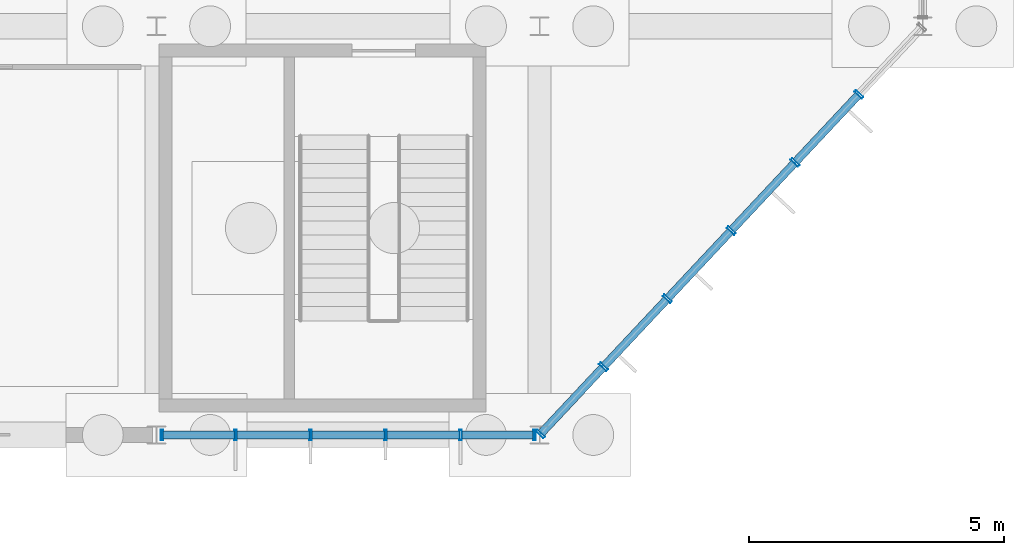
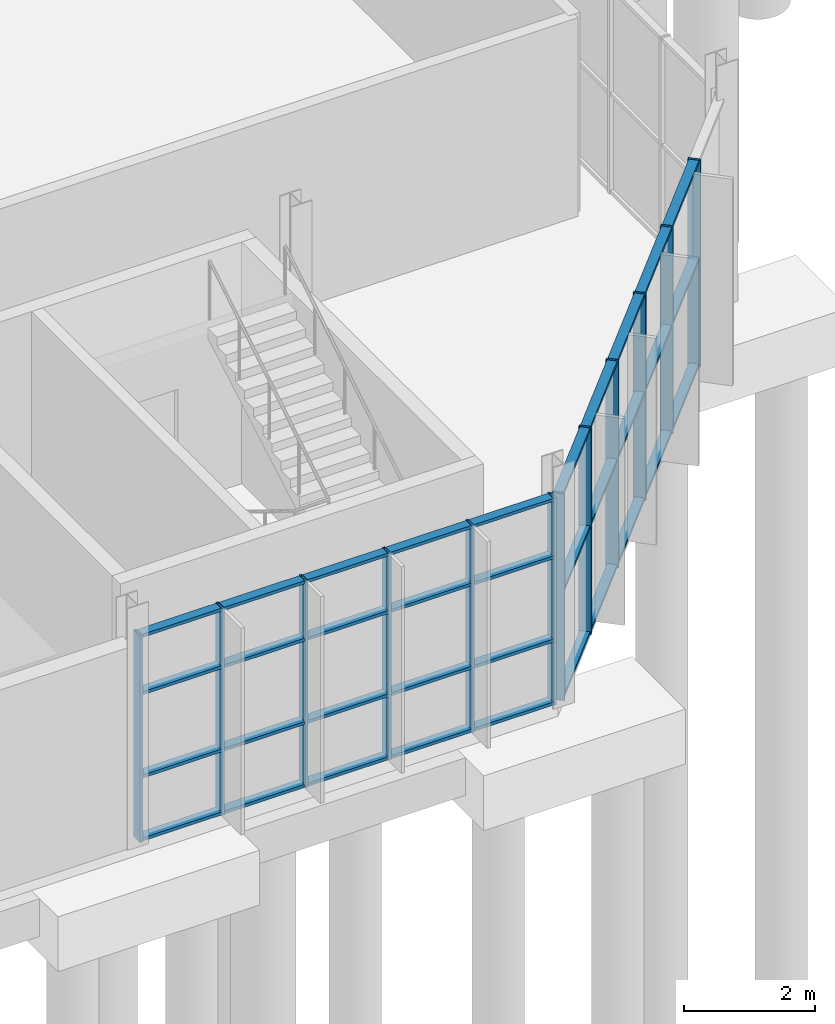
# One storey, part 36 of 136: 47 members, 2 elements without a shape of their own.
"""IFC4 building model written with IfcOpenShell, lengths in metres."""

import ifcopenshell
import ifcopenshell.guid

model = None  # the IFC model being written
_history = None  # IfcOwnerHistory: only IFC2X3 demands one
_inside = {}  # id of a spatial element -> (the spatial element, [elements in it])
_under = {}  # id of a project, library or spatial element -> (it, [spatial elements below it])
_declared = {}  # id of a project -> (the project, [libraries it declares])
_typed = {}  # id of a type object -> (the type object, [elements of that type])
_made_of = {}  # id of a material, layer set ... -> (it, [elements and type objects made of it])


def new_model(schema):
    """Start an empty IFC model of exactly this schema.

    Asked for "IFC4X3", IfcOpenShell would pick the latest addendum, in which some entities
    have other attributes; the version numbers below select the first issue.
    IFC2X3 requires an IfcOwnerHistory on every rooted entity: one is made here for all.
    """
    global model, _history
    if schema == "IFC4X3":
        model = ifcopenshell.file(schema_version=(4, 3, 0, 0))
    else:
        model = ifcopenshell.file(schema=schema)
    _inside.clear()
    _under.clear()
    _declared.clear()
    _typed.clear()
    _made_of.clear()
    _history = None
    if model.schema == "IFC2X3":
        org = make("IfcOrganization", Name="unknown")
        user = make(
            "IfcPersonAndOrganization",
            ThePerson=make("IfcPerson", FamilyName="unknown"),
            TheOrganization=org,
        )
        app = make(
            "IfcApplication",
            ApplicationDeveloper=org,
            Version="unknown",
            ApplicationFullName="unknown",
            ApplicationIdentifier="unknown",
        )
        _history = make(
            "IfcOwnerHistory",
            OwningUser=user,
            OwningApplication=app,
            ChangeAction="ADDED",
            CreationDate=0,
        )
    return model


def make(cls, **values):
    """One entity of the class cls with the attributes given. An attribute that is None is left unset."""
    return model.create_entity(
        cls, **{name: value for name, value in values.items() if value is not None}
    )


def rooted(cls, **values):
    """An entity with a GlobalId (a new one), such as an element, a storey or a relation."""
    return make(cls, GlobalId=ifcopenshell.guid.new(), OwnerHistory=_history, **values)


def si_unit(unit_type, name, prefix=None):
    """IfcSIUnit, for example si_unit("LENGTHUNIT", "METRE", prefix="MILLI")."""
    return make("IfcSIUnit", UnitType=unit_type, Prefix=prefix, Name=name)


def assignment(units):
    """IfcUnitAssignment: the units of a project."""
    return None if units is None else make("IfcUnitAssignment", Units=units)


def point(xyz):
    """IfcCartesianPoint."""
    return None if xyz is None else make("IfcCartesianPoint", Coordinates=xyz)


def direction(xyz):
    """IfcDirection."""
    return None if xyz is None else make("IfcDirection", DirectionRatios=xyz)


def frame(location, z_axis=None, x_axis=None):
    """IfcAxis2Placement3D, a coordinate frame: its origin and axes. An axis left out is left unset."""
    return make(
        "IfcAxis2Placement3D",
        Location=point(location),
        Axis=direction(z_axis),
        RefDirection=direction(x_axis),
    )


def frame_2d(location, x_axis=None):
    """IfcAxis2Placement2D, a coordinate frame in the plane: its origin and x axis."""
    return make(
        "IfcAxis2Placement2D", Location=point(location), RefDirection=direction(x_axis)
    )


def origin():
    """The frame at (0, 0, 0) with its axes left unset."""
    return frame((0.0, 0.0, 0.0))


def origin_2d():
    """The frame at (0, 0) in the plane with its x axis left unset."""
    return frame_2d((0.0, 0.0))


def place(relative_to, where):
    """IfcLocalPlacement: puts the frame where relative to a parent placement (None: the world)."""
    return make(
        "IfcLocalPlacement", PlacementRelTo=relative_to, RelativePlacement=where
    )


def context(
    kind, dimensions, precision=None, world=None, true_north=None, identifier=None
):
    """IfcGeometricRepresentationContext, for example the 3D "Model" context."""
    return make(
        "IfcGeometricRepresentationContext",
        ContextIdentifier=identifier,
        ContextType=kind,
        CoordinateSpaceDimension=dimensions,
        Precision=precision,
        WorldCoordinateSystem=world,
        TrueNorth=true_north,
    )


def subcontext(parent, identifier, kind, view, scale=None):
    """IfcGeometricRepresentationSubContext, for example "Body" below "Model"."""
    return make(
        "IfcGeometricRepresentationSubContext",
        ContextIdentifier=identifier,
        ContextType=kind,
        ParentContext=parent,
        TargetScale=scale,
        TargetView=view,
    )


def project(units=None, contexts=None):
    """IfcProject with its units and contexts."""
    return rooted(
        "IfcProject",
        Name="project",
        RepresentationContexts=contexts,
        UnitsInContext=assignment(units),
    )


def spatial(cls, under=None, at=None, **own):
    """A site, building, storey or space (cls), placed at a placement, below another one or the project."""
    s = rooted(cls, ObjectPlacement=at, **own)
    if under is not None:
        _under.setdefault(under.id(), (under, []))[1].append(s)
    return s


def profile(cls, at=None, kind="AREA", **sizes):
    """A parametric profile (cls). Its sizes go by their IFC names, for example OverallWidth=200.0."""
    return make(cls, ProfileType=kind, Position=at, **sizes)


def hollow_rectangle(**sizes):
    """IfcRectangleHollowProfileDef."""
    return profile("IfcRectangleHollowProfileDef", **sizes)


def extrude(swept, where, along, depth):
    """IfcExtrudedAreaSolid: the profile swept, set in the frame where, extruded along a direction by depth."""
    return make(
        "IfcExtrudedAreaSolid",
        SweptArea=swept,
        Position=where,
        ExtrudedDirection=direction(along),
        Depth=depth,
    )


def shape(context_of_items, identifier, shape_type, items):
    """IfcShapeRepresentation: the items that make up one representation, for example the "Body"."""
    return make(
        "IfcShapeRepresentation",
        ContextOfItems=context_of_items,
        RepresentationIdentifier=identifier,
        RepresentationType=shape_type,
        Items=items,
    )


def material(Name=None, Category=None):
    """IfcMaterial."""
    return make("IfcMaterial", Name=Name, Category=Category)


def layer(
    of_material, thickness, ventilated=None, Name=None, Category=None, Priority=None
):
    """IfcMaterialLayer: one layer of a wall or slab, of a material (None: an air gap)."""
    return make(
        "IfcMaterialLayer",
        Material=of_material,
        LayerThickness=thickness,
        IsVentilated=ventilated,
        Name=Name,
        Category=Category,
        Priority=Priority,
    )


def layer_set(layers, Name=None):
    """IfcMaterialLayerSet."""
    return make("IfcMaterialLayerSet", MaterialLayers=layers, LayerSetName=Name)


def material_profile(
    of_material, cross_section, Name=None, Category=None, Priority=None
):
    """IfcMaterialProfile: a cross section and its material."""
    return make(
        "IfcMaterialProfile",
        Name=Name,
        Material=of_material,
        Profile=cross_section,
        Priority=Priority,
        Category=Category,
    )


def profile_set(profiles, Name=None, composite=None):
    """IfcMaterialProfileSet."""
    return make(
        "IfcMaterialProfileSet",
        Name=Name,
        MaterialProfiles=profiles,
        CompositeProfile=composite,
    )


def made_of(thing, what):
    """Note that an element or type object is made of a material, layer set ...; save() writes the relation."""
    if what is not None:
        _made_of.setdefault(what.id(), (what, []))[1].append(thing)
    return thing


def type_object(cls, material=None, **own):
    """A type object (cls), such as IfcWallType, which elements share."""
    return made_of(rooted(cls, **own), material)


def element(
    cls,
    number,
    at=None,
    inside=None,
    cuts=None,
    type_object=None,
    material=None,
    context=None,
    identifier="Body",
    shape_type=None,
    held_by="IfcProductDefinitionShape",
    body=None,
    shapes=None,
    **own,
):
    """One element of the class cls, such as IfcWall. Its Tag is "e" and its number.

    at: its placement. inside: the storey or other place that contains it. cuts: it is an
    opening in that element (IfcRelVoidsElement). A single representation is given by context,
    identifier, shape_type and body (its items); several are given by shapes. held_by: the class
    of the entity that holds the representations. save() writes the other relations.
    """
    e = rooted(cls, Tag="e%d" % number, ObjectPlacement=at, **own)
    if body is not None:
        shapes = [shape(context, identifier, shape_type, body)]
    if shapes is not None:
        e.Representation = make(held_by, Representations=shapes)
    if inside is not None:
        _inside.setdefault(inside.id(), (inside, []))[1].append(e)
    if cuts is not None:
        rooted(
            "IfcRelVoidsElement", RelatingBuildingElement=cuts, RelatedOpeningElement=e
        )
    if type_object is not None:
        _typed.setdefault(type_object.id(), (type_object, []))[1].append(e)
    return made_of(e, material)


def aggregate(whole, parts):
    """IfcRelAggregates: a whole, such as a stair, and the parts it consists of."""
    return rooted("IfcRelAggregates", RelatingObject=whole, RelatedObjects=parts)


def save(model, path):
    """Write the relations noted so far, then the file.

    IfcRelAggregates (storeys below a building ...), IfcRelContainedInSpatialStructure (elements
    in a storey), IfcRelDefinesByType, IfcRelAssociatesMaterial and IfcRelDeclares: one each for
    every whole, place, type object, material and project.
    """
    for whole, parts in _under.values():
        aggregate(whole, parts)
    for where, things in _inside.values():
        rooted(
            "IfcRelContainedInSpatialStructure",
            RelatedElements=things,
            RelatingStructure=where,
        )
    for kind, things in _typed.values():
        rooted("IfcRelDefinesByType", RelatedObjects=things, RelatingType=kind)
    for what, things in _made_of.values():
        rooted("IfcRelAssociatesMaterial", RelatedObjects=things, RelatingMaterial=what)
    for by, libraries in _declared.values():
        rooted("IfcRelDeclares", RelatingContext=by, RelatedDefinitions=libraries)
    model.write(path)


model = new_model("IFC4")

# Units and contexts
model_context = context("Model", 3, precision=1e-05, world=origin(), true_north=direction((0.0, 1.0)))
body_context = subcontext(model_context, "Body", "Model", "MODEL_VIEW")
ifc_project = project(units=[si_unit("LENGTHUNIT", "METRE"), si_unit("AREAUNIT", "SQUARE_METRE"), si_unit("VOLUMEUNIT", "CUBIC_METRE"), si_unit("PLANEANGLEUNIT", "RADIAN"), si_unit("MASSUNIT", "GRAM", prefix="KILO")], contexts=[model_context])

# Site, building, storey
site_placement = place(None, origin())
site = spatial("IfcSite", under=ifc_project, at=site_placement, CompositionType="ELEMENT")
building_placement = place(site_placement, origin())
building = spatial("IfcBuilding", under=site, at=building_placement, Name="Solvenia Promenade Tram Depot", CompositionType="ELEMENT")
storey_placement = place(building_placement, origin())
storey = spatial("IfcBuildingStorey", under=building, at=storey_placement, Name="L00", CompositionType="ELEMENT", Elevation=0.0)

# Curtain wall, members
ifc_material = material(Name="Anodized aluminium AW-6063 T6", Category="aluminium")
ifc_layer_1 = layer(ifc_material, 0.179931640625, Name="Anodized aluminium AW-6063 T6", Category="aluminium")
ifc_layer_set_1 = layer_set([ifc_layer_1], Name="Anodized aluminium AW-6063 T6")
curtain_wall_type_1 = type_object("IfcCurtainWallType", Name="CW-Prom-1800", PredefinedType="NOTDEFINED", material=ifc_layer_set_1)
curtain_wall_1_placement = place(storey_placement, origin())
curtain_wall_1 = element("IfcCurtainWall", 1, at=curtain_wall_1_placement, inside=storey, type_object=curtain_wall_type_1, Name="L00 East Forecourt Faceted Prow Curtain Wall", PredefinedType="NOTDEFINED")
ifc_material_profile_1 = material_profile(ifc_material, hollow_rectangle(XDim=0.199951171875, YDim=0.048095703125, WallThickness=0.00390625, at=origin_2d()), Name="ALU-M3", Category="aluminium")
ifc_profile_set_1 = profile_set([ifc_material_profile_1], Name="Anodized aluminium AW-6063 T6")
member_type_1 = type_object("IfcMemberType", Name="CWM-Mullion-3", PredefinedType="MULLION", material=ifc_profile_set_1)
member_1_placement = place(storey_placement, frame((82.516357421875, 0.017578125, 0.0), z_axis=(0.0, 0.0, 1.0), x_axis=(-0.72953720414, 0.683941128881, 0.0)))
member_1 = element("IfcMember", 2, at=member_1_placement, type_object=member_type_1, Name="CW-9 mullion 1", PredefinedType="MULLION", context=body_context, shape_type="SweptSolid", body=[
    extrude(hollow_rectangle(XDim=0.199951171875, YDim=0.048095703125, WallThickness=0.00390625, at=origin_2d()), origin(), (0.0, 0.0, 1.0), 3.85009765625),
])
member_2_placement = place(storey_placement, frame((83.75, 1.333251953125, 0.0), z_axis=(0.0, 0.0, 1.0), x_axis=(-0.72953720414, 0.683941128881, 0.0)))
member_2 = element("IfcMember", 3, at=member_2_placement, type_object=member_type_1, Name="CW-9 mullion 2", PredefinedType="MULLION", context=body_context, shape_type="SweptSolid", body=[
    extrude(hollow_rectangle(XDim=0.199951171875, YDim=0.048095703125, WallThickness=0.00390625, at=origin_2d()), origin(), (0.0, 0.0, 1.0), 3.85009765625),
])
member_3_placement = place(storey_placement, frame((85.0, 2.666748046875, 0.0), z_axis=(0.0, 0.0, 1.0), x_axis=(-0.72953720414, 0.683941128881, 0.0)))
member_3 = element("IfcMember", 4, at=member_3_placement, type_object=member_type_1, Name="CW-9 mullion 3", PredefinedType="MULLION", context=body_context, shape_type="SweptSolid", body=[
    extrude(hollow_rectangle(XDim=0.199951171875, YDim=0.048095703125, WallThickness=0.00390625, at=origin_2d()), origin(), (0.0, 0.0, 1.0), 3.85009765625),
])
member_4_placement = place(storey_placement, frame((86.25, 4.0, 0.0), z_axis=(0.0, 0.0, 1.0), x_axis=(-0.72953720414, 0.683941128881, 0.0)))
member_4 = element("IfcMember", 5, at=member_4_placement, type_object=member_type_1, Name="CW-9 mullion 4", PredefinedType="MULLION", context=body_context, shape_type="SweptSolid", body=[
    extrude(hollow_rectangle(XDim=0.199951171875, YDim=0.048095703125, WallThickness=0.00390625, at=origin_2d()), origin(), (0.0, 0.0, 1.0), 3.85009765625),
])
member_5_placement = place(storey_placement, frame((87.5, 5.333251953125, 0.0), z_axis=(0.0, 0.0, 1.0), x_axis=(-0.72953720414, 0.683941128881, 0.0)))
member_5 = element("IfcMember", 6, at=member_5_placement, type_object=member_type_1, Name="CW-9 mullion 5", PredefinedType="MULLION", context=body_context, shape_type="SweptSolid", body=[
    extrude(hollow_rectangle(XDim=0.199951171875, YDim=0.048095703125, WallThickness=0.00390625, at=origin_2d()), origin(), (0.0, 0.0, 1.0), 3.85009765625),
])
member_6_placement = place(storey_placement, frame((88.75, 6.666748046875, 0.0), z_axis=(0.0, 0.0, 1.0), x_axis=(-0.72953720414, 0.683941128881, 0.0)))
member_6 = element("IfcMember", 7, at=member_6_placement, type_object=member_type_1, Name="CW-9 mullion 6", PredefinedType="MULLION", context=body_context, shape_type="SweptSolid", body=[
    extrude(hollow_rectangle(XDim=0.199951171875, YDim=0.048095703125, WallThickness=0.00390625, at=origin_2d()), origin(), (0.0, 0.0, 1.0), 3.85009765625),
])

ifc_layer_2 = layer(ifc_material, 0.179931640625, Name="Anodized aluminium AW-6063 T6", Category="aluminium")
ifc_layer_set_2 = layer_set([ifc_layer_2], Name="Anodized aluminium AW-6063 T6")
curtain_wall_type_2 = type_object("IfcCurtainWallType", Name="CW-Solar-1500", PredefinedType="NOTDEFINED", material=ifc_layer_set_2)
curtain_wall_2_placement = place(storey_placement, origin())
curtain_wall_2 = element("IfcCurtainWall", 8, at=curtain_wall_2_placement, inside=storey, type_object=curtain_wall_type_2, Name="Curtain Wall CW-V4S-L00-10", PredefinedType="NOTDEFINED")
member_7_placement = place(storey_placement, frame((75.10400390625, 0.0, 0.0), z_axis=(0.0, 0.0, 1.0), x_axis=(0.0, 1.0, 0.0)))
member_7 = element("IfcMember", 9, at=member_7_placement, type_object=member_type_1, Name="CW-7 mullion 1", PredefinedType="MULLION", context=body_context, shape_type="SweptSolid", body=[
    extrude(hollow_rectangle(XDim=0.199951171875, YDim=0.048095703125, WallThickness=0.00390625, at=origin_2d()), origin(), (0.0, 0.0, 1.0), 3.85009765625),
])
member_8_placement = place(storey_placement, frame((76.548095703125, 0.0, 0.0), z_axis=(0.0, 0.0, 1.0), x_axis=(0.0, 1.0, 0.0)))
member_8 = element("IfcMember", 10, at=member_8_placement, type_object=member_type_1, Name="CW-7 mullion 2", PredefinedType="MULLION", context=body_context, shape_type="SweptSolid", body=[
    extrude(hollow_rectangle(XDim=0.199951171875, YDim=0.048095703125, WallThickness=0.00390625, at=origin_2d()), origin(), (0.0, 0.0, 1.0), 3.85009765625),
])
member_9_placement = place(storey_placement, frame((78.01611328125, 0.0, 0.0), z_axis=(0.0, 0.0, 1.0), x_axis=(0.0, 1.0, 0.0)))
member_9 = element("IfcMember", 11, at=member_9_placement, type_object=member_type_1, Name="CW-7 mullion 3", PredefinedType="MULLION", context=body_context, shape_type="SweptSolid", body=[
    extrude(hollow_rectangle(XDim=0.199951171875, YDim=0.048095703125, WallThickness=0.00390625, at=origin_2d()), origin(), (0.0, 0.0, 1.0), 3.85009765625),
])
member_10_placement = place(storey_placement, frame((79.48388671875, 0.0, 0.0), z_axis=(0.0, 0.0, 1.0), x_axis=(0.0, 1.0, 0.0)))
member_10 = element("IfcMember", 12, at=member_10_placement, type_object=member_type_1, Name="CW-7 mullion 4", PredefinedType="MULLION", context=body_context, shape_type="SweptSolid", body=[
    extrude(hollow_rectangle(XDim=0.199951171875, YDim=0.048095703125, WallThickness=0.00390625, at=origin_2d()), origin(), (0.0, 0.0, 1.0), 3.85009765625),
])
member_11_placement = place(storey_placement, frame((80.951904296875, 0.0, 0.0), z_axis=(0.0, 0.0, 1.0), x_axis=(0.0, 1.0, 0.0)))
member_11 = element("IfcMember", 13, at=member_11_placement, type_object=member_type_1, Name="CW-7 mullion 5", PredefinedType="MULLION", context=body_context, shape_type="SweptSolid", body=[
    extrude(hollow_rectangle(XDim=0.199951171875, YDim=0.048095703125, WallThickness=0.00390625, at=origin_2d()), origin(), (0.0, 0.0, 1.0), 3.85009765625),
])
member_12_placement = place(storey_placement, frame((82.39599609375, 0.0, 0.0), z_axis=(0.0, 0.0, 1.0), x_axis=(0.0, 1.0, 0.0)))
member_12 = element("IfcMember", 14, at=member_12_placement, type_object=member_type_1, Name="CW-7 mullion 6", PredefinedType="MULLION", context=body_context, shape_type="SweptSolid", body=[
    extrude(hollow_rectangle(XDim=0.199951171875, YDim=0.048095703125, WallThickness=0.00390625, at=origin_2d()), origin(), (0.0, 0.0, 1.0), 3.85009765625),
])

# Member
ifc_material_profile_2 = material_profile(ifc_material, hollow_rectangle(XDim=0.159912109375, YDim=0.05810546875, WallThickness=0.00390625, at=origin_2d()), Name="ALU-T3", Category="aluminium")
ifc_profile_set_2 = profile_set([ifc_material_profile_2], Name="Anodized aluminium AW-6063 T6")
member_type_2 = type_object("IfcMemberType", Name="CWT-Transom-3", PredefinedType="USERDEFINED", material=ifc_profile_set_2)
member_13_placement = place(storey_placement, frame((82.53271484375, 0.034912109375, 0.029052734375), z_axis=(0.683936503845, 0.729541540084, 0.0), x_axis=(-0.729541540084, 0.683936503845, 0.0)))
member_13 = element("IfcMember", 15, at=member_13_placement, type_object=member_type_2, Name="CW-9 transom 1.1", ObjectType="TRANSOM", PredefinedType="USERDEFINED", context=body_context, shape_type="SweptSolid", body=[
    extrude(hollow_rectangle(XDim=0.159912109375, YDim=0.05810546875, WallThickness=0.00390625, at=origin_2d()), origin(), (0.0, 0.0, 1.0), 1.755859375),
])

member_14_placement = place(storey_placement, frame((82.53271484375, 0.034912109375, 2.0), z_axis=(0.683936503845, 0.729541540084, 0.0), x_axis=(-0.729541540084, 0.683936503845, 0.0)))
member_14 = element("IfcMember", 16, at=member_14_placement, type_object=member_type_2, Name="CW-9 transom 1.2", ObjectType="TRANSOM", PredefinedType="USERDEFINED", context=body_context, shape_type="SweptSolid", body=[
    extrude(hollow_rectangle(XDim=0.159912109375, YDim=0.05810546875, WallThickness=0.00390625, at=origin_2d()), origin(), (0.0, 0.0, 1.0), 1.755859375),
])

member_15_placement = place(storey_placement, frame((82.53271484375, 0.034912109375, 3.821044921875), z_axis=(0.683936503845, 0.729541540084, 0.0), x_axis=(-0.729541540084, 0.683936503845, 0.0)))
member_15 = element("IfcMember", 17, at=member_15_placement, type_object=member_type_2, Name="CW-9 transom 1.3", ObjectType="TRANSOM", PredefinedType="USERDEFINED", context=body_context, shape_type="SweptSolid", body=[
    extrude(hollow_rectangle(XDim=0.159912109375, YDim=0.05810546875, WallThickness=0.00390625, at=origin_2d()), origin(), (0.0, 0.0, 1.0), 1.755859375),
])

member_16_placement = place(storey_placement, frame((83.766357421875, 1.350830078125, 0.029052734375), z_axis=(0.683968506921, 0.729511536263, 0.0), x_axis=(-0.729511536263, 0.683968506921, 0.0)))
member_16 = element("IfcMember", 18, at=member_16_placement, type_object=member_type_2, Name="CW-9 transom 2.1", ObjectType="TRANSOM", PredefinedType="USERDEFINED", context=body_context, shape_type="SweptSolid", body=[
    extrude(hollow_rectangle(XDim=0.159912109375, YDim=0.05810546875, WallThickness=0.00390625, at=origin_2d()), origin(), (0.0, 0.0, 1.0), 1.77978515625),
])

member_17_placement = place(storey_placement, frame((83.766357421875, 1.350830078125, 2.0), z_axis=(0.683968506921, 0.729511536263, 0.0), x_axis=(-0.729511536263, 0.683968506921, 0.0)))
member_17 = element("IfcMember", 19, at=member_17_placement, type_object=member_type_2, Name="CW-9 transom 2.2", ObjectType="TRANSOM", PredefinedType="USERDEFINED", context=body_context, shape_type="SweptSolid", body=[
    extrude(hollow_rectangle(XDim=0.159912109375, YDim=0.05810546875, WallThickness=0.00390625, at=origin_2d()), origin(), (0.0, 0.0, 1.0), 1.77978515625),
])

member_18_placement = place(storey_placement, frame((83.766357421875, 1.350830078125, 3.821044921875), z_axis=(0.683968506921, 0.729511536263, 0.0), x_axis=(-0.729511536263, 0.683968506921, 0.0)))
member_18 = element("IfcMember", 20, at=member_18_placement, type_object=member_type_2, Name="CW-9 transom 2.3", ObjectType="TRANSOM", PredefinedType="USERDEFINED", context=body_context, shape_type="SweptSolid", body=[
    extrude(hollow_rectangle(XDim=0.159912109375, YDim=0.05810546875, WallThickness=0.00390625, at=origin_2d()), origin(), (0.0, 0.0, 1.0), 1.77978515625),
])

member_19_placement = place(storey_placement, frame((85.016357421875, 2.68408203125, 0.029052734375), z_axis=(0.683968506921, 0.729511536263, 0.0), x_axis=(-0.729511536263, 0.683968506921, 0.0)))
member_19 = element("IfcMember", 21, at=member_19_placement, type_object=member_type_2, Name="CW-9 transom 3.1", ObjectType="TRANSOM", PredefinedType="USERDEFINED", context=body_context, shape_type="SweptSolid", body=[
    extrude(hollow_rectangle(XDim=0.159912109375, YDim=0.05810546875, WallThickness=0.00390625, at=origin_2d()), origin(), (0.0, 0.0, 1.0), 1.77978515625),
])

member_20_placement = place(storey_placement, frame((85.016357421875, 2.68408203125, 2.0), z_axis=(0.683968506921, 0.729511536263, 0.0), x_axis=(-0.729511536263, 0.683968506921, 0.0)))
member_20 = element("IfcMember", 22, at=member_20_placement, type_object=member_type_2, Name="CW-9 transom 3.2", ObjectType="TRANSOM", PredefinedType="USERDEFINED", context=body_context, shape_type="SweptSolid", body=[
    extrude(hollow_rectangle(XDim=0.159912109375, YDim=0.05810546875, WallThickness=0.00390625, at=origin_2d()), origin(), (0.0, 0.0, 1.0), 1.77978515625),
])

member_21_placement = place(storey_placement, frame((85.016357421875, 2.68408203125, 3.821044921875), z_axis=(0.683968506921, 0.729511536263, 0.0), x_axis=(-0.729511536263, 0.683968506921, 0.0)))
member_21 = element("IfcMember", 23, at=member_21_placement, type_object=member_type_2, Name="CW-9 transom 3.3", ObjectType="TRANSOM", PredefinedType="USERDEFINED", context=body_context, shape_type="SweptSolid", body=[
    extrude(hollow_rectangle(XDim=0.159912109375, YDim=0.05810546875, WallThickness=0.00390625, at=origin_2d()), origin(), (0.0, 0.0, 1.0), 1.77978515625),
])

member_22_placement = place(storey_placement, frame((86.266357421875, 4.017578125, 0.029052734375), z_axis=(0.683968506921, 0.729511536263, 0.0), x_axis=(-0.729511536263, 0.683968506921, 0.0)))
member_22 = element("IfcMember", 24, at=member_22_placement, type_object=member_type_2, Name="CW-9 transom 4.1", ObjectType="TRANSOM", PredefinedType="USERDEFINED", context=body_context, shape_type="SweptSolid", body=[
    extrude(hollow_rectangle(XDim=0.159912109375, YDim=0.05810546875, WallThickness=0.00390625, at=origin_2d()), origin(), (0.0, 0.0, 1.0), 1.77978515625),
])

member_23_placement = place(storey_placement, frame((86.266357421875, 4.017578125, 2.0), z_axis=(0.683968506921, 0.729511536263, 0.0), x_axis=(-0.729511536263, 0.683968506921, 0.0)))
member_23 = element("IfcMember", 25, at=member_23_placement, type_object=member_type_2, Name="CW-9 transom 4.2", ObjectType="TRANSOM", PredefinedType="USERDEFINED", context=body_context, shape_type="SweptSolid", body=[
    extrude(hollow_rectangle(XDim=0.159912109375, YDim=0.05810546875, WallThickness=0.00390625, at=origin_2d()), origin(), (0.0, 0.0, 1.0), 1.77978515625),
])

member_24_placement = place(storey_placement, frame((86.266357421875, 4.017578125, 3.821044921875), z_axis=(0.683968506921, 0.729511536263, 0.0), x_axis=(-0.729511536263, 0.683968506921, 0.0)))
member_24 = element("IfcMember", 26, at=member_24_placement, type_object=member_type_2, Name="CW-9 transom 4.3", ObjectType="TRANSOM", PredefinedType="USERDEFINED", context=body_context, shape_type="SweptSolid", body=[
    extrude(hollow_rectangle(XDim=0.159912109375, YDim=0.05810546875, WallThickness=0.00390625, at=origin_2d()), origin(), (0.0, 0.0, 1.0), 1.77978515625),
])

member_25_placement = place(storey_placement, frame((87.516357421875, 5.350830078125, 0.029052734375), z_axis=(0.683968506921, 0.729511536263, 0.0), x_axis=(-0.729511536263, 0.683968506921, 0.0)))
member_25 = element("IfcMember", 27, at=member_25_placement, type_object=member_type_2, Name="CW-9 transom 5.1", ObjectType="TRANSOM", PredefinedType="USERDEFINED", context=body_context, shape_type="SweptSolid", body=[
    extrude(hollow_rectangle(XDim=0.159912109375, YDim=0.05810546875, WallThickness=0.00390625, at=origin_2d()), origin(), (0.0, 0.0, 1.0), 1.77978515625),
])

member_26_placement = place(storey_placement, frame((87.516357421875, 5.350830078125, 2.0), z_axis=(0.683968506921, 0.729511536263, 0.0), x_axis=(-0.729511536263, 0.683968506921, 0.0)))
member_26 = element("IfcMember", 28, at=member_26_placement, type_object=member_type_2, Name="CW-9 transom 5.2", ObjectType="TRANSOM", PredefinedType="USERDEFINED", context=body_context, shape_type="SweptSolid", body=[
    extrude(hollow_rectangle(XDim=0.159912109375, YDim=0.05810546875, WallThickness=0.00390625, at=origin_2d()), origin(), (0.0, 0.0, 1.0), 1.77978515625),
])

member_27_placement = place(storey_placement, frame((87.516357421875, 5.350830078125, 3.821044921875), z_axis=(0.683968506921, 0.729511536263, 0.0), x_axis=(-0.729511536263, 0.683968506921, 0.0)))
member_27 = element("IfcMember", 29, at=member_27_placement, type_object=member_type_2, Name="CW-9 transom 5.3", ObjectType="TRANSOM", PredefinedType="USERDEFINED", context=body_context, shape_type="SweptSolid", body=[
    extrude(hollow_rectangle(XDim=0.159912109375, YDim=0.05810546875, WallThickness=0.00390625, at=origin_2d()), origin(), (0.0, 0.0, 1.0), 1.77978515625),
])

aggregate(curtain_wall_1, [member_1, member_2, member_3, member_4, member_5, member_6, member_13, member_14, member_15, member_16, member_17, member_18, member_19, member_20, member_21, member_22, member_23, member_24, member_25, member_26, member_27])

member_28_placement = place(storey_placement, frame((75.1279296875, 0.0, 0.029052734375), z_axis=(1.0, 0.0, 0.0), x_axis=(0.0, 1.0, 0.0)))
member_28 = element("IfcMember", 30, at=member_28_placement, type_object=member_type_2, Name="CW-7 transom 1.1", ObjectType="TRANSOM", PredefinedType="USERDEFINED", context=body_context, shape_type="SweptSolid", body=[
    extrude(hollow_rectangle(XDim=0.159912109375, YDim=0.05810546875, WallThickness=0.00390625, at=origin_2d()), origin(), (0.0, 0.0, 1.0), 1.39599609375),
])

member_29_placement = place(storey_placement, frame((75.1279296875, 0.0, 1.199951171875), z_axis=(1.0, 0.0, 0.0), x_axis=(0.0, 1.0, 0.0)))
member_29 = element("IfcMember", 31, at=member_29_placement, type_object=member_type_2, Name="CW-7 transom 1.2", ObjectType="TRANSOM", PredefinedType="USERDEFINED", context=body_context, shape_type="SweptSolid", body=[
    extrude(hollow_rectangle(XDim=0.159912109375, YDim=0.05810546875, WallThickness=0.00390625, at=origin_2d()), origin(), (0.0, 0.0, 1.0), 1.39599609375),
])

member_30_placement = place(storey_placement, frame((75.1279296875, 0.0, 2.75), z_axis=(1.0, 0.0, 0.0), x_axis=(0.0, 1.0, 0.0)))
member_30 = element("IfcMember", 32, at=member_30_placement, type_object=member_type_2, Name="CW-7 transom 1.3", ObjectType="TRANSOM", PredefinedType="USERDEFINED", context=body_context, shape_type="SweptSolid", body=[
    extrude(hollow_rectangle(XDim=0.159912109375, YDim=0.05810546875, WallThickness=0.00390625, at=origin_2d()), origin(), (0.0, 0.0, 1.0), 1.39599609375),
])

member_31_placement = place(storey_placement, frame((75.1279296875, 0.0, 3.821044921875), z_axis=(1.0, 0.0, 0.0), x_axis=(0.0, 1.0, 0.0)))
member_31 = element("IfcMember", 33, at=member_31_placement, type_object=member_type_2, Name="CW-7 transom 1.4", ObjectType="TRANSOM", PredefinedType="USERDEFINED", context=body_context, shape_type="SweptSolid", body=[
    extrude(hollow_rectangle(XDim=0.159912109375, YDim=0.05810546875, WallThickness=0.00390625, at=origin_2d()), origin(), (0.0, 0.0, 1.0), 1.39599609375),
])

member_32_placement = place(storey_placement, frame((76.572021484375, 0.0, 0.029052734375), z_axis=(1.0, 0.0, 0.0), x_axis=(0.0, 1.0, 0.0)))
member_32 = element("IfcMember", 34, at=member_32_placement, type_object=member_type_2, Name="CW-7 transom 2.1", ObjectType="TRANSOM", PredefinedType="USERDEFINED", context=body_context, shape_type="SweptSolid", body=[
    extrude(hollow_rectangle(XDim=0.159912109375, YDim=0.05810546875, WallThickness=0.00390625, at=origin_2d()), origin(), (0.0, 0.0, 1.0), 1.419921875),
])

member_33_placement = place(storey_placement, frame((76.572021484375, 0.0, 1.199951171875), z_axis=(1.0, 0.0, 0.0), x_axis=(0.0, 1.0, 0.0)))
member_33 = element("IfcMember", 35, at=member_33_placement, type_object=member_type_2, Name="CW-7 transom 2.2", ObjectType="TRANSOM", PredefinedType="USERDEFINED", context=body_context, shape_type="SweptSolid", body=[
    extrude(hollow_rectangle(XDim=0.159912109375, YDim=0.05810546875, WallThickness=0.00390625, at=origin_2d()), origin(), (0.0, 0.0, 1.0), 1.419921875),
])

member_34_placement = place(storey_placement, frame((76.572021484375, 0.0, 2.75), z_axis=(1.0, 0.0, 0.0), x_axis=(0.0, 1.0, 0.0)))
member_34 = element("IfcMember", 36, at=member_34_placement, type_object=member_type_2, Name="CW-7 transom 2.3", ObjectType="TRANSOM", PredefinedType="USERDEFINED", context=body_context, shape_type="SweptSolid", body=[
    extrude(hollow_rectangle(XDim=0.159912109375, YDim=0.05810546875, WallThickness=0.00390625, at=origin_2d()), origin(), (0.0, 0.0, 1.0), 1.419921875),
])

member_35_placement = place(storey_placement, frame((76.572021484375, 0.0, 3.821044921875), z_axis=(1.0, 0.0, 0.0), x_axis=(0.0, 1.0, 0.0)))
member_35 = element("IfcMember", 37, at=member_35_placement, type_object=member_type_2, Name="CW-7 transom 2.4", ObjectType="TRANSOM", PredefinedType="USERDEFINED", context=body_context, shape_type="SweptSolid", body=[
    extrude(hollow_rectangle(XDim=0.159912109375, YDim=0.05810546875, WallThickness=0.00390625, at=origin_2d()), origin(), (0.0, 0.0, 1.0), 1.419921875),
])

member_36_placement = place(storey_placement, frame((78.0400390625, 0.0, 0.029052734375), z_axis=(1.0, 0.0, 0.0), x_axis=(0.0, 1.0, 0.0)))
member_36 = element("IfcMember", 38, at=member_36_placement, type_object=member_type_2, Name="CW-7 transom 3.1", ObjectType="TRANSOM", PredefinedType="USERDEFINED", context=body_context, shape_type="SweptSolid", body=[
    extrude(hollow_rectangle(XDim=0.159912109375, YDim=0.05810546875, WallThickness=0.00390625, at=origin_2d()), origin(), (0.0, 0.0, 1.0), 1.419921875),
])

member_37_placement = place(storey_placement, frame((78.0400390625, 0.0, 1.199951171875), z_axis=(1.0, 0.0, 0.0), x_axis=(0.0, 1.0, 0.0)))
member_37 = element("IfcMember", 39, at=member_37_placement, type_object=member_type_2, Name="CW-7 transom 3.2", ObjectType="TRANSOM", PredefinedType="USERDEFINED", context=body_context, shape_type="SweptSolid", body=[
    extrude(hollow_rectangle(XDim=0.159912109375, YDim=0.05810546875, WallThickness=0.00390625, at=origin_2d()), origin(), (0.0, 0.0, 1.0), 1.419921875),
])

member_38_placement = place(storey_placement, frame((78.0400390625, 0.0, 2.75), z_axis=(1.0, 0.0, 0.0), x_axis=(0.0, 1.0, 0.0)))
member_38 = element("IfcMember", 40, at=member_38_placement, type_object=member_type_2, Name="CW-7 transom 3.3", ObjectType="TRANSOM", PredefinedType="USERDEFINED", context=body_context, shape_type="SweptSolid", body=[
    extrude(hollow_rectangle(XDim=0.159912109375, YDim=0.05810546875, WallThickness=0.00390625, at=origin_2d()), origin(), (0.0, 0.0, 1.0), 1.419921875),
])

member_39_placement = place(storey_placement, frame((78.0400390625, 0.0, 3.821044921875), z_axis=(1.0, 0.0, 0.0), x_axis=(0.0, 1.0, 0.0)))
member_39 = element("IfcMember", 41, at=member_39_placement, type_object=member_type_2, Name="CW-7 transom 3.4", ObjectType="TRANSOM", PredefinedType="USERDEFINED", context=body_context, shape_type="SweptSolid", body=[
    extrude(hollow_rectangle(XDim=0.159912109375, YDim=0.05810546875, WallThickness=0.00390625, at=origin_2d()), origin(), (0.0, 0.0, 1.0), 1.419921875),
])

member_40_placement = place(storey_placement, frame((79.508056640625, 0.0, 0.029052734375), z_axis=(1.0, 0.0, 0.0), x_axis=(0.0, 1.0, 0.0)))
member_40 = element("IfcMember", 42, at=member_40_placement, type_object=member_type_2, Name="CW-7 transom 4.1", ObjectType="TRANSOM", PredefinedType="USERDEFINED", context=body_context, shape_type="SweptSolid", body=[
    extrude(hollow_rectangle(XDim=0.159912109375, YDim=0.05810546875, WallThickness=0.00390625, at=origin_2d()), origin(), (0.0, 0.0, 1.0), 1.419921875),
])

member_41_placement = place(storey_placement, frame((79.508056640625, 0.0, 1.199951171875), z_axis=(1.0, 0.0, 0.0), x_axis=(0.0, 1.0, 0.0)))
member_41 = element("IfcMember", 43, at=member_41_placement, type_object=member_type_2, Name="CW-7 transom 4.2", ObjectType="TRANSOM", PredefinedType="USERDEFINED", context=body_context, shape_type="SweptSolid", body=[
    extrude(hollow_rectangle(XDim=0.159912109375, YDim=0.05810546875, WallThickness=0.00390625, at=origin_2d()), origin(), (0.0, 0.0, 1.0), 1.419921875),
])

member_42_placement = place(storey_placement, frame((79.508056640625, 0.0, 2.75), z_axis=(1.0, 0.0, 0.0), x_axis=(0.0, 1.0, 0.0)))
member_42 = element("IfcMember", 44, at=member_42_placement, type_object=member_type_2, Name="CW-7 transom 4.3", ObjectType="TRANSOM", PredefinedType="USERDEFINED", context=body_context, shape_type="SweptSolid", body=[
    extrude(hollow_rectangle(XDim=0.159912109375, YDim=0.05810546875, WallThickness=0.00390625, at=origin_2d()), origin(), (0.0, 0.0, 1.0), 1.419921875),
])

member_43_placement = place(storey_placement, frame((79.508056640625, 0.0, 3.821044921875), z_axis=(1.0, 0.0, 0.0), x_axis=(0.0, 1.0, 0.0)))
member_43 = element("IfcMember", 45, at=member_43_placement, type_object=member_type_2, Name="CW-7 transom 4.4", ObjectType="TRANSOM", PredefinedType="USERDEFINED", context=body_context, shape_type="SweptSolid", body=[
    extrude(hollow_rectangle(XDim=0.159912109375, YDim=0.05810546875, WallThickness=0.00390625, at=origin_2d()), origin(), (0.0, 0.0, 1.0), 1.419921875),
])

member_44_placement = place(storey_placement, frame((80.97607421875, 0.0, 0.029052734375), z_axis=(1.0, 0.0, 0.0), x_axis=(0.0, 1.0, 0.0)))
member_44 = element("IfcMember", 46, at=member_44_placement, type_object=member_type_2, Name="CW-7 transom 5.1", ObjectType="TRANSOM", PredefinedType="USERDEFINED", context=body_context, shape_type="SweptSolid", body=[
    extrude(hollow_rectangle(XDim=0.159912109375, YDim=0.05810546875, WallThickness=0.00390625, at=origin_2d()), origin(), (0.0, 0.0, 1.0), 1.39599609375),
])

member_45_placement = place(storey_placement, frame((80.97607421875, 0.0, 1.199951171875), z_axis=(1.0, 0.0, 0.0), x_axis=(0.0, 1.0, 0.0)))
member_45 = element("IfcMember", 47, at=member_45_placement, type_object=member_type_2, Name="CW-7 transom 5.2", ObjectType="TRANSOM", PredefinedType="USERDEFINED", context=body_context, shape_type="SweptSolid", body=[
    extrude(hollow_rectangle(XDim=0.159912109375, YDim=0.05810546875, WallThickness=0.00390625, at=origin_2d()), origin(), (0.0, 0.0, 1.0), 1.39599609375),
])

member_46_placement = place(storey_placement, frame((80.97607421875, 0.0, 2.75), z_axis=(1.0, 0.0, 0.0), x_axis=(0.0, 1.0, 0.0)))
member_46 = element("IfcMember", 48, at=member_46_placement, type_object=member_type_2, Name="CW-7 transom 5.3", ObjectType="TRANSOM", PredefinedType="USERDEFINED", context=body_context, shape_type="SweptSolid", body=[
    extrude(hollow_rectangle(XDim=0.159912109375, YDim=0.05810546875, WallThickness=0.00390625, at=origin_2d()), origin(), (0.0, 0.0, 1.0), 1.39599609375),
])

member_47_placement = place(storey_placement, frame((80.97607421875, 0.0, 3.821044921875), z_axis=(1.0, 0.0, 0.0), x_axis=(0.0, 1.0, 0.0)))
member_47 = element("IfcMember", 49, at=member_47_placement, type_object=member_type_2, Name="CW-7 transom 5.4", ObjectType="TRANSOM", PredefinedType="USERDEFINED", context=body_context, shape_type="SweptSolid", body=[
    extrude(hollow_rectangle(XDim=0.159912109375, YDim=0.05810546875, WallThickness=0.00390625, at=origin_2d()), origin(), (0.0, 0.0, 1.0), 1.39599609375),
])

aggregate(curtain_wall_2, [member_7, member_8, member_9, member_10, member_11, member_12, member_28, member_29, member_30, member_31, member_32, member_33, member_34, member_35, member_36, member_37, member_38, member_39, member_40, member_41, member_42, member_43, member_44, member_45, member_46, member_47])

save(model, "model.ifc")
